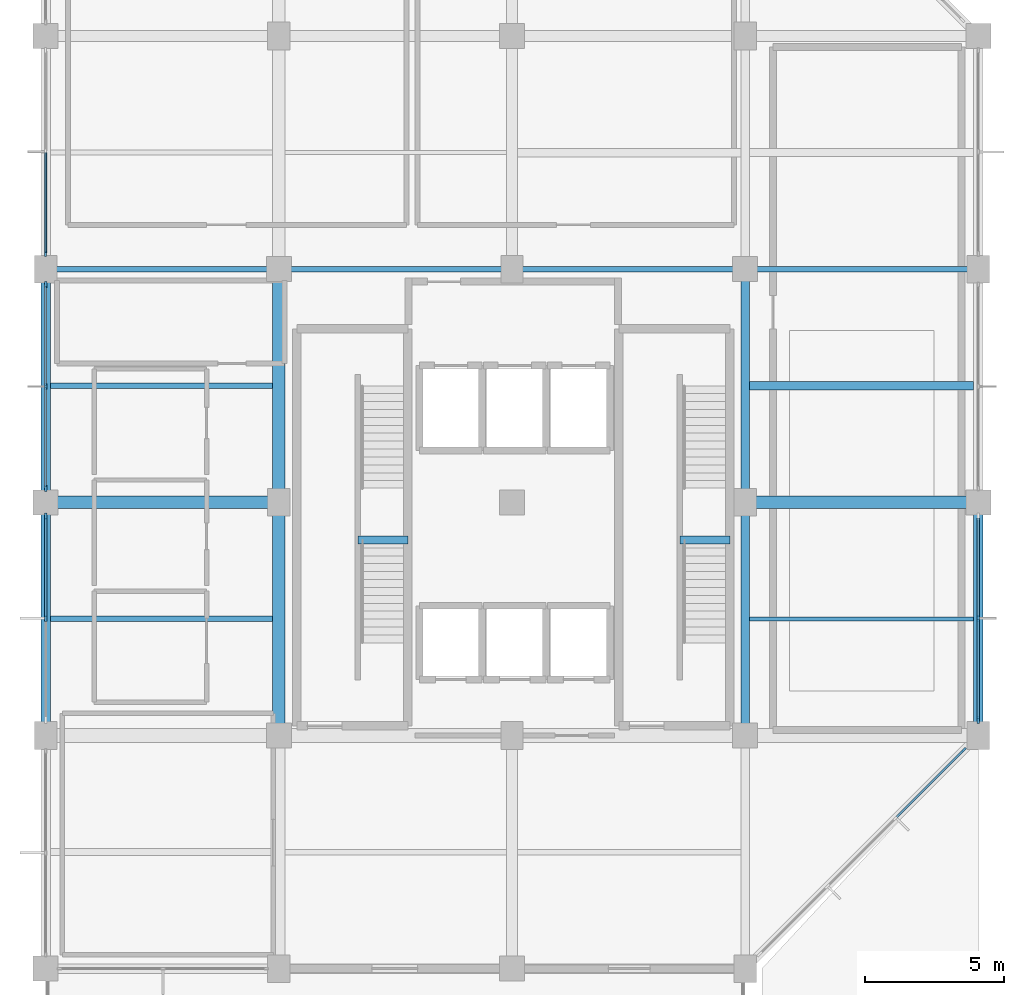
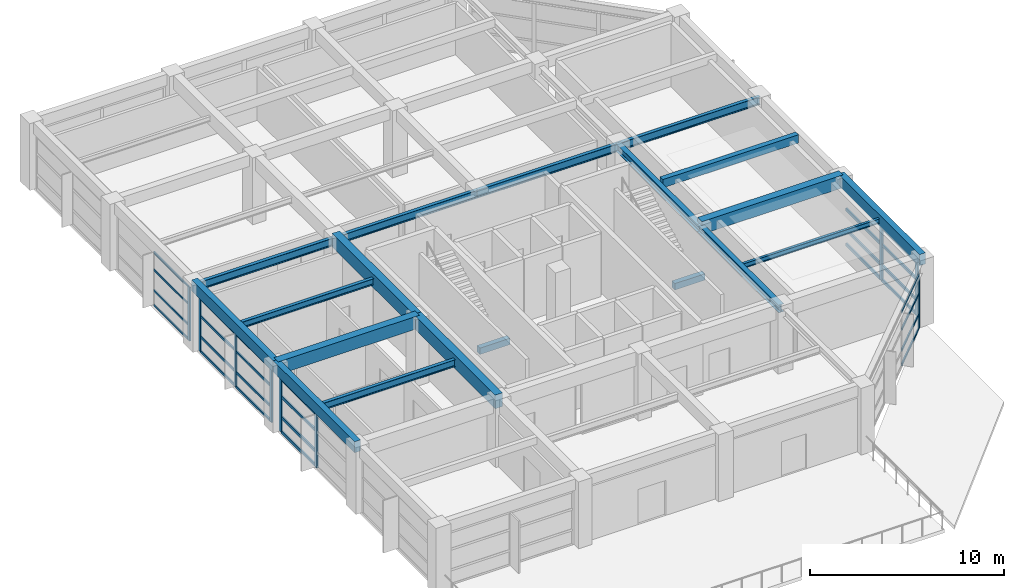
# One storey, part 3 of 11: 36 members, 19 beams, 5 elements without a shape of their own.
"""IFC4 building model written with IfcOpenShell, lengths in metres."""

from ifc_helpers import new_model, si_unit, direction, frame, origin, origin_2d, place, context, subcontext, project, spatial, rectangle, i_section, extrude, material, material_profile, profile_set, type_object, element, aggregate, save


model = new_model("IFC4")

# Units and contexts
model_context = context("Model", 3, precision=1e-05, world=origin(), true_north=direction((0.0, 1.0)))
body_context = subcontext(model_context, "Body", "Model", "MODEL_VIEW")
ifc_project = project(units=[si_unit("LENGTHUNIT", "METRE"), si_unit("AREAUNIT", "SQUARE_METRE"), si_unit("VOLUMEUNIT", "CUBIC_METRE"), si_unit("PLANEANGLEUNIT", "RADIAN"), si_unit("MASSUNIT", "GRAM", prefix="KILO")], contexts=[model_context])

# Site, building, storey
site_placement = place(None, origin())
site = spatial("IfcSite", under=ifc_project, at=site_placement, CompositionType="ELEMENT")
building_placement = place(site_placement, origin())
building = spatial("IfcBuilding", under=site, at=building_placement, Name="Xuanlan Plaza Opera House", CompositionType="ELEMENT")
storey_placement = place(building_placement, frame((0.0, 0.0, 57.300048828125)))
storey = spatial("IfcBuildingStorey", under=building, at=storey_placement, Name="L13", CompositionType="ELEMENT", Elevation=57.300048828125)

# Curtain wall, member
ifc_material_1 = material(Name="Anodised Aluminium 6063-T6 and Low-E Glass", Category="aluminium")
curtain_wall_type_1 = type_object("IfcCurtainWallType", Name="ENV-CW-CW-04", PredefinedType="USERDEFINED", material=ifc_material_1)
curtain_wall_1_placement = place(storey_placement, origin())
curtain_wall_1 = element("IfcCurtainWall", 1, at=curtain_wall_1_placement, inside=storey, type_object=curtain_wall_type_1, Name="Unitised Curtain Wall L13-013", ObjectType="UNITISED CURTAIN WALL", PredefinedType="USERDEFINED")
ifc_material_2 = material(Name="Anodised Aluminium 6063-T6", Category="aluminium")
ifc_material_profile_1 = material_profile(ifc_material_2, rectangle(XDim=0.074951171875, YDim=0.199951171875, at=origin_2d()), Name="ALU-M 75x200")
ifc_profile_set_1 = profile_set([ifc_material_profile_1], Name="Anodised Aluminium 6063-T6")
member_type_1 = type_object("IfcMemberType", Name="ENV-CWM-03", PredefinedType="MULLION", material=ifc_profile_set_1)
member_1_placement = place(storey_placement, frame((126.0, 67.757568359375, 0.0), z_axis=(0.0, 0.0, 1.0), x_axis=(1.0, 0.0, 0.0)))
member_1 = element("IfcMember", 2, at=member_1_placement, type_object=member_type_1, Name="CW-04 mullion 3", PredefinedType="MULLION", context=body_context, shape_type="SweptSolid", body=[
    extrude(rectangle(XDim=0.074951171875, YDim=0.199951171875, at=origin_2d()), origin(), (0.0, 0.0, 1.0), 3.3798828125),
])

curtain_wall_type_2 = type_object("IfcCurtainWallType", Name="ENV-CW-CW-03", PredefinedType="USERDEFINED", material=ifc_material_1)
curtain_wall_2_placement = place(storey_placement, origin())
curtain_wall_2 = element("IfcCurtainWall", 3, at=curtain_wall_2_placement, inside=storey, type_object=curtain_wall_type_2, Name="Unitised Curtain Wall L13-004", ObjectType="UNITISED CURTAIN WALL", PredefinedType="USERDEFINED")
ifc_material_profile_2 = material_profile(ifc_material_2, rectangle(XDim=0.080078125, YDim=0.219970703125, at=origin_2d()), Name="ALU-M 80x220")
ifc_profile_set_2 = profile_set([ifc_material_profile_2], Name="Anodised Aluminium 6063-T6")
member_type_2 = type_object("IfcMemberType", Name="ENV-CWM-04", PredefinedType="MULLION", material=ifc_profile_set_2)
member_2_placement = place(storey_placement, frame((159.07275390625, 49.872802734375, 0.0), z_axis=(0.0, 0.0, 1.0), x_axis=(-0.707106781187, 0.707106781187, 0.0)))
member_2 = element("IfcMember", 4, at=member_2_placement, type_object=member_type_2, Name="CW-03 mullion 4", PredefinedType="MULLION", context=body_context, shape_type="SweptSolid", body=[
    extrude(rectangle(XDim=0.080078125, YDim=0.219970703125, at=origin_2d()), origin(), (0.0, 0.0, 1.0), 3.3798828125),
])

# Curtain wall, members
curtain_wall_type_3 = type_object("IfcCurtainWallType", Name="ENV-CW-CW-01", PredefinedType="USERDEFINED", material=ifc_material_1)
curtain_wall_3_placement = place(storey_placement, origin())
curtain_wall_3 = element("IfcCurtainWall", 5, at=curtain_wall_3_placement, inside=storey, type_object=curtain_wall_type_3, Name="Unitised Curtain Wall L13-014", ObjectType="UNITISED CURTAIN WALL", PredefinedType="USERDEFINED")
member_3_placement = place(storey_placement, frame((126.0, 66.639892578125, 0.0), z_axis=(0.0, 0.0, 1.0), x_axis=(1.0, 0.0, 0.0)))
member_3 = element("IfcMember", 6, at=member_3_placement, type_object=member_type_2, Name="CW-01 mullion 1", PredefinedType="MULLION", context=body_context, shape_type="SweptSolid", body=[
    extrude(rectangle(XDim=0.080078125, YDim=0.219970703125, at=origin_2d()), origin(), (0.0, 0.0, 1.0), 3.3798828125),
])
member_4_placement = place(storey_placement, frame((126.0, 62.97509765625, 0.0), z_axis=(0.0, 0.0, 1.0), x_axis=(1.0, 0.0, 0.0)))
member_4 = element("IfcMember", 7, at=member_4_placement, type_object=member_type_2, Name="CW-01 mullion 2", PredefinedType="MULLION", context=body_context, shape_type="SweptSolid", body=[
    extrude(rectangle(XDim=0.080078125, YDim=0.219970703125, at=origin_2d()), origin(), (0.0, 0.0, 1.0), 3.3798828125),
])
member_5_placement = place(storey_placement, frame((126.0, 59.31005859375, 0.0), z_axis=(0.0, 0.0, 1.0), x_axis=(1.0, 0.0, 0.0)))
member_5 = element("IfcMember", 8, at=member_5_placement, type_object=member_type_2, Name="CW-01 mullion 3", PredefinedType="MULLION", context=body_context, shape_type="SweptSolid", body=[
    extrude(rectangle(XDim=0.080078125, YDim=0.219970703125, at=origin_2d()), origin(), (0.0, 0.0, 1.0), 3.3798828125),
])

curtain_wall_4_placement = place(storey_placement, origin())
curtain_wall_4 = element("IfcCurtainWall", 9, at=curtain_wall_4_placement, inside=storey, type_object=curtain_wall_type_1, Name="Unitised Curtain Wall L13-005", ObjectType="UNITISED CURTAIN WALL", PredefinedType="USERDEFINED")
ifc_material_profile_3 = material_profile(ifc_material_2, rectangle(XDim=0.090087890625, YDim=0.25, at=origin_2d()), Name="ALU-M 90x250")
ifc_profile_set_3 = profile_set([ifc_material_profile_3], Name="Anodised Aluminium 6063-T6")
member_type_3 = type_object("IfcMemberType", Name="ENV-CWM-05", PredefinedType="MULLION", material=ifc_profile_set_3)
member_6_placement = place(storey_placement, frame((159.60009765625, 50.965087890625, 0.0), z_axis=(0.0, 0.0, 1.0), x_axis=(-1.0, 0.0, 0.0)))
member_6 = element("IfcMember", 10, at=member_6_placement, type_object=member_type_3, Name="CW-04 mullion 1", PredefinedType="MULLION", context=body_context, shape_type="SweptSolid", body=[
    extrude(rectangle(XDim=0.090087890625, YDim=0.25, at=origin_2d()), origin(), (0.0, 0.0, 1.0), 3.3798828125),
])
member_7_placement = place(storey_placement, frame((159.60009765625, 54.625, 0.0), z_axis=(0.0, 0.0, 1.0), x_axis=(-1.0, 0.0, 0.0)))
member_7 = element("IfcMember", 11, at=member_7_placement, type_object=member_type_3, Name="CW-04 mullion 2", PredefinedType="MULLION", context=body_context, shape_type="SweptSolid", body=[
    extrude(rectangle(XDim=0.090087890625, YDim=0.25, at=origin_2d()), origin(), (0.0, 0.0, 1.0), 3.3798828125),
])

curtain_wall_type_4 = type_object("IfcCurtainWallType", Name="ENV-CW-CW-02", PredefinedType="USERDEFINED", material=ifc_material_1)
curtain_wall_5_placement = place(storey_placement, origin())
curtain_wall_5 = element("IfcCurtainWall", 12, at=curtain_wall_5_placement, inside=storey, type_object=curtain_wall_type_4, Name="Unitised Curtain Wall L13-015", ObjectType="UNITISED CURTAIN WALL", PredefinedType="USERDEFINED")
member_8_placement = place(storey_placement, frame((126.0, 58.284912109375, 0.0), z_axis=(0.0, 0.0, 1.0), x_axis=(1.0, 0.0, 0.0)))
member_8 = element("IfcMember", 13, at=member_8_placement, type_object=member_type_3, Name="CW-02 mullion 1", PredefinedType="MULLION", context=body_context, shape_type="SweptSolid", body=[
    extrude(rectangle(XDim=0.090087890625, YDim=0.25, at=origin_2d()), origin(), (0.0, 0.0, 1.0), 3.3798828125),
])
member_9_placement = place(storey_placement, frame((126.0, 54.625, 0.0), z_axis=(0.0, 0.0, 1.0), x_axis=(1.0, 0.0, 0.0)))
member_9 = element("IfcMember", 14, at=member_9_placement, type_object=member_type_3, Name="CW-02 mullion 2", PredefinedType="MULLION", context=body_context, shape_type="SweptSolid", body=[
    extrude(rectangle(XDim=0.090087890625, YDim=0.25, at=origin_2d()), origin(), (0.0, 0.0, 1.0), 3.3798828125),
])

# Member
ifc_material_profile_4 = material_profile(ifc_material_2, rectangle(XDim=0.06494140625, YDim=0.1201171875, at=origin_2d()), Name="ALU-T 65x120")
ifc_profile_set_4 = profile_set([ifc_material_profile_4], Name="Anodised Aluminium 6063-T6")
member_type_4 = type_object("IfcMemberType", Name="ENV-CWT-01", PredefinedType="USERDEFINED", material=ifc_profile_set_4)
member_10_placement = place(storey_placement, frame((126.0, 71.387451171875, 0.032470703125), z_axis=(0.0, -1.0, 0.0), x_axis=(1.0, 0.0, 0.0)))
member_10 = element("IfcMember", 15, at=member_10_placement, type_object=member_type_4, Name="CW-04 transom 2.1", ObjectType="TRANSOM", PredefinedType="USERDEFINED", context=body_context, shape_type="SweptSolid", body=[
    extrude(rectangle(XDim=0.06494140625, YDim=0.1201171875, at=origin_2d()), origin(), (0.0, 0.0, 1.0), 3.592529296875),
])

member_11_placement = place(storey_placement, frame((126.0, 71.387451171875, 0.949951171875), z_axis=(0.0, -1.0, 0.0), x_axis=(1.0, 0.0, 0.0)))
member_11 = element("IfcMember", 16, at=member_11_placement, type_object=member_type_4, Name="CW-04 transom 2.2", ObjectType="TRANSOM", PredefinedType="USERDEFINED", context=body_context, shape_type="SweptSolid", body=[
    extrude(rectangle(XDim=0.06494140625, YDim=0.1201171875, at=origin_2d()), origin(), (0.0, 0.0, 1.0), 3.592529296875),
])

member_12_placement = place(storey_placement, frame((126.0, 71.387451171875, 2.25), z_axis=(0.0, -1.0, 0.0), x_axis=(1.0, 0.0, 0.0)))
member_12 = element("IfcMember", 17, at=member_12_placement, type_object=member_type_4, Name="CW-04 transom 2.3", ObjectType="TRANSOM", PredefinedType="USERDEFINED", context=body_context, shape_type="SweptSolid", body=[
    extrude(rectangle(XDim=0.06494140625, YDim=0.1201171875, at=origin_2d()), origin(), (0.0, 0.0, 1.0), 3.592529296875),
])

member_13_placement = place(storey_placement, frame((126.0, 71.387451171875, 3.347412109375), z_axis=(0.0, -1.0, 0.0), x_axis=(1.0, 0.0, 0.0)))
member_13 = element("IfcMember", 18, at=member_13_placement, type_object=member_type_4, Name="CW-04 transom 2.4", ObjectType="TRANSOM", PredefinedType="USERDEFINED", context=body_context, shape_type="SweptSolid", body=[
    extrude(rectangle(XDim=0.06494140625, YDim=0.1201171875, at=origin_2d()), origin(), (0.0, 0.0, 1.0), 3.592529296875),
])

aggregate(curtain_wall_1, [member_1, member_10, member_11, member_12, member_13])

ifc_material_profile_5 = material_profile(ifc_material_2, rectangle(XDim=0.074951171875, YDim=0.14990234375, at=origin_2d()), Name="ALU-T 75x150")
ifc_profile_set_5 = profile_set([ifc_material_profile_5], Name="Anodised Aluminium 6063-T6")
member_type_5 = type_object("IfcMemberType", Name="ENV-CWT-03", PredefinedType="USERDEFINED", material=ifc_profile_set_5)
member_14_placement = place(storey_placement, frame((156.661865234375, 47.4619140625, 0.037353515625), z_axis=(0.707106781187, 0.707106781187, 0.0), x_axis=(-0.707106781187, 0.707106781187, 0.0)))
member_14 = element("IfcMember", 19, at=member_14_placement, type_object=member_type_5, Name="CW-03 transom 3.1", ObjectType="TRANSOM", PredefinedType="USERDEFINED", context=body_context, shape_type="SweptSolid", body=[
    extrude(rectangle(XDim=0.074951171875, YDim=0.14990234375, at=origin_2d()), origin(), (0.0, 0.0, 1.0), 3.369384765625),
])

member_15_placement = place(storey_placement, frame((156.661865234375, 47.4619140625, 0.949951171875), z_axis=(0.707106781187, 0.707106781187, 0.0), x_axis=(-0.707106781187, 0.707106781187, 0.0)))
member_15 = element("IfcMember", 20, at=member_15_placement, type_object=member_type_5, Name="CW-03 transom 3.2", ObjectType="TRANSOM", PredefinedType="USERDEFINED", context=body_context, shape_type="SweptSolid", body=[
    extrude(rectangle(XDim=0.074951171875, YDim=0.14990234375, at=origin_2d()), origin(), (0.0, 0.0, 1.0), 3.369384765625),
])

member_16_placement = place(storey_placement, frame((156.661865234375, 47.4619140625, 2.25), z_axis=(0.707106781187, 0.707106781187, 0.0), x_axis=(-0.707106781187, 0.707106781187, 0.0)))
member_16 = element("IfcMember", 21, at=member_16_placement, type_object=member_type_5, Name="CW-03 transom 3.3", ObjectType="TRANSOM", PredefinedType="USERDEFINED", context=body_context, shape_type="SweptSolid", body=[
    extrude(rectangle(XDim=0.074951171875, YDim=0.14990234375, at=origin_2d()), origin(), (0.0, 0.0, 1.0), 3.369384765625),
])

member_17_placement = place(storey_placement, frame((156.661865234375, 47.4619140625, 3.342529296875), z_axis=(0.707106781187, 0.707106781187, 0.0), x_axis=(-0.707106781187, 0.707106781187, 0.0)))
member_17 = element("IfcMember", 22, at=member_17_placement, type_object=member_type_5, Name="CW-03 transom 3.4", ObjectType="TRANSOM", PredefinedType="USERDEFINED", context=body_context, shape_type="SweptSolid", body=[
    extrude(rectangle(XDim=0.074951171875, YDim=0.14990234375, at=origin_2d()), origin(), (0.0, 0.0, 1.0), 3.369384765625),
])

aggregate(curtain_wall_2, [member_2, member_14, member_15, member_16, member_17])

member_18_placement = place(storey_placement, frame((126.0, 66.60009765625, 0.037353515625), z_axis=(0.0, -1.0, 0.0), x_axis=(1.0, 0.0, 0.0)))
member_18 = element("IfcMember", 23, at=member_18_placement, type_object=member_type_5, Name="CW-01 transom 1.1", ObjectType="TRANSOM", PredefinedType="USERDEFINED", context=body_context, shape_type="SweptSolid", body=[
    extrude(rectangle(XDim=0.074951171875, YDim=0.14990234375, at=origin_2d()), origin(), (0.0, 0.0, 1.0), 3.585205078125),
])

member_19_placement = place(storey_placement, frame((126.0, 66.60009765625, 0.949951171875), z_axis=(0.0, -1.0, 0.0), x_axis=(1.0, 0.0, 0.0)))
member_19 = element("IfcMember", 24, at=member_19_placement, type_object=member_type_5, Name="CW-01 transom 1.2", ObjectType="TRANSOM", PredefinedType="USERDEFINED", context=body_context, shape_type="SweptSolid", body=[
    extrude(rectangle(XDim=0.074951171875, YDim=0.14990234375, at=origin_2d()), origin(), (0.0, 0.0, 1.0), 3.585205078125),
])

member_20_placement = place(storey_placement, frame((126.0, 66.60009765625, 2.25), z_axis=(0.0, -1.0, 0.0), x_axis=(1.0, 0.0, 0.0)))
member_20 = element("IfcMember", 25, at=member_20_placement, type_object=member_type_5, Name="CW-01 transom 1.3", ObjectType="TRANSOM", PredefinedType="USERDEFINED", context=body_context, shape_type="SweptSolid", body=[
    extrude(rectangle(XDim=0.074951171875, YDim=0.14990234375, at=origin_2d()), origin(), (0.0, 0.0, 1.0), 3.585205078125),
])

member_21_placement = place(storey_placement, frame((126.0, 66.60009765625, 3.342529296875), z_axis=(0.0, -1.0, 0.0), x_axis=(1.0, 0.0, 0.0)))
member_21 = element("IfcMember", 26, at=member_21_placement, type_object=member_type_5, Name="CW-01 transom 1.4", ObjectType="TRANSOM", PredefinedType="USERDEFINED", context=body_context, shape_type="SweptSolid", body=[
    extrude(rectangle(XDim=0.074951171875, YDim=0.14990234375, at=origin_2d()), origin(), (0.0, 0.0, 1.0), 3.585205078125),
])

member_22_placement = place(storey_placement, frame((126.0, 62.93505859375, 0.037353515625), z_axis=(0.0, -1.0, 0.0), x_axis=(1.0, 0.0, 0.0)))
member_22 = element("IfcMember", 27, at=member_22_placement, type_object=member_type_5, Name="CW-01 transom 2.1", ObjectType="TRANSOM", PredefinedType="USERDEFINED", context=body_context, shape_type="SweptSolid", body=[
    extrude(rectangle(XDim=0.074951171875, YDim=0.14990234375, at=origin_2d()), origin(), (0.0, 0.0, 1.0), 3.5849609375),
])

member_23_placement = place(storey_placement, frame((126.0, 62.93505859375, 0.949951171875), z_axis=(0.0, -1.0, 0.0), x_axis=(1.0, 0.0, 0.0)))
member_23 = element("IfcMember", 28, at=member_23_placement, type_object=member_type_5, Name="CW-01 transom 2.2", ObjectType="TRANSOM", PredefinedType="USERDEFINED", context=body_context, shape_type="SweptSolid", body=[
    extrude(rectangle(XDim=0.074951171875, YDim=0.14990234375, at=origin_2d()), origin(), (0.0, 0.0, 1.0), 3.5849609375),
])

member_24_placement = place(storey_placement, frame((126.0, 62.93505859375, 2.25), z_axis=(0.0, -1.0, 0.0), x_axis=(1.0, 0.0, 0.0)))
member_24 = element("IfcMember", 29, at=member_24_placement, type_object=member_type_5, Name="CW-01 transom 2.3", ObjectType="TRANSOM", PredefinedType="USERDEFINED", context=body_context, shape_type="SweptSolid", body=[
    extrude(rectangle(XDim=0.074951171875, YDim=0.14990234375, at=origin_2d()), origin(), (0.0, 0.0, 1.0), 3.5849609375),
])

member_25_placement = place(storey_placement, frame((126.0, 62.93505859375, 3.342529296875), z_axis=(0.0, -1.0, 0.0), x_axis=(1.0, 0.0, 0.0)))
member_25 = element("IfcMember", 30, at=member_25_placement, type_object=member_type_5, Name="CW-01 transom 2.4", ObjectType="TRANSOM", PredefinedType="USERDEFINED", context=body_context, shape_type="SweptSolid", body=[
    extrude(rectangle(XDim=0.074951171875, YDim=0.14990234375, at=origin_2d()), origin(), (0.0, 0.0, 1.0), 3.5849609375),
])

aggregate(curtain_wall_3, [member_3, member_4, member_5, member_18, member_19, member_20, member_21, member_22, member_23, member_24, member_25])

ifc_material_profile_6 = material_profile(ifc_material_2, rectangle(XDim=0.090087890625, YDim=0.179931640625, at=origin_2d()), Name="ALU-T 90x180")
ifc_profile_set_6 = profile_set([ifc_material_profile_6], Name="Anodised Aluminium 6063-T6")
member_type_6 = type_object("IfcMemberType", Name="ENV-CWT-05", PredefinedType="USERDEFINED", material=ifc_profile_set_6)
member_26_placement = place(storey_placement, frame((159.60009765625, 51.010009765625, 0.044921875), z_axis=(0.0, 1.0, 0.0), x_axis=(-1.0, 0.0, 0.0)))
member_26 = element("IfcMember", 31, at=member_26_placement, type_object=member_type_6, Name="CW-04 transom 1.1", ObjectType="TRANSOM", PredefinedType="USERDEFINED", context=body_context, shape_type="SweptSolid", body=[
    extrude(rectangle(XDim=0.090087890625, YDim=0.179931640625, at=origin_2d()), origin(), (0.0, 0.0, 1.0), 3.570068359375),
])

member_27_placement = place(storey_placement, frame((159.60009765625, 51.010009765625, 0.949951171875), z_axis=(0.0, 1.0, 0.0), x_axis=(-1.0, 0.0, 0.0)))
member_27 = element("IfcMember", 32, at=member_27_placement, type_object=member_type_6, Name="CW-04 transom 1.2", ObjectType="TRANSOM", PredefinedType="USERDEFINED", context=body_context, shape_type="SweptSolid", body=[
    extrude(rectangle(XDim=0.090087890625, YDim=0.179931640625, at=origin_2d()), origin(), (0.0, 0.0, 1.0), 3.570068359375),
])

member_28_placement = place(storey_placement, frame((159.60009765625, 51.010009765625, 2.25), z_axis=(0.0, 1.0, 0.0), x_axis=(-1.0, 0.0, 0.0)))
member_28 = element("IfcMember", 33, at=member_28_placement, type_object=member_type_6, Name="CW-04 transom 1.3", ObjectType="TRANSOM", PredefinedType="USERDEFINED", context=body_context, shape_type="SweptSolid", body=[
    extrude(rectangle(XDim=0.090087890625, YDim=0.179931640625, at=origin_2d()), origin(), (0.0, 0.0, 1.0), 3.570068359375),
])

member_29_placement = place(storey_placement, frame((159.60009765625, 51.010009765625, 3.3349609375), z_axis=(0.0, 1.0, 0.0), x_axis=(-1.0, 0.0, 0.0)))
member_29 = element("IfcMember", 34, at=member_29_placement, type_object=member_type_6, Name="CW-04 transom 1.4", ObjectType="TRANSOM", PredefinedType="USERDEFINED", context=body_context, shape_type="SweptSolid", body=[
    extrude(rectangle(XDim=0.090087890625, YDim=0.179931640625, at=origin_2d()), origin(), (0.0, 0.0, 1.0), 3.570068359375),
])

member_30_placement = place(storey_placement, frame((159.60009765625, 54.669921875, 0.044921875), z_axis=(0.0, 1.0, 0.0), x_axis=(-1.0, 0.0, 0.0)))
member_30 = element("IfcMember", 35, at=member_30_placement, type_object=member_type_6, Name="CW-04 transom 2.1", ObjectType="TRANSOM", PredefinedType="USERDEFINED", context=body_context, shape_type="SweptSolid", body=[
    extrude(rectangle(XDim=0.090087890625, YDim=0.179931640625, at=origin_2d()), origin(), (0.0, 0.0, 1.0), 3.570068359375),
])

member_31_placement = place(storey_placement, frame((159.60009765625, 54.669921875, 0.949951171875), z_axis=(0.0, 1.0, 0.0), x_axis=(-1.0, 0.0, 0.0)))
member_31 = element("IfcMember", 36, at=member_31_placement, type_object=member_type_6, Name="CW-04 transom 2.2", ObjectType="TRANSOM", PredefinedType="USERDEFINED", context=body_context, shape_type="SweptSolid", body=[
    extrude(rectangle(XDim=0.090087890625, YDim=0.179931640625, at=origin_2d()), origin(), (0.0, 0.0, 1.0), 3.570068359375),
])

member_32_placement = place(storey_placement, frame((159.60009765625, 54.669921875, 2.25), z_axis=(0.0, 1.0, 0.0), x_axis=(-1.0, 0.0, 0.0)))
member_32 = element("IfcMember", 37, at=member_32_placement, type_object=member_type_6, Name="CW-04 transom 2.3", ObjectType="TRANSOM", PredefinedType="USERDEFINED", context=body_context, shape_type="SweptSolid", body=[
    extrude(rectangle(XDim=0.090087890625, YDim=0.179931640625, at=origin_2d()), origin(), (0.0, 0.0, 1.0), 3.570068359375),
])

aggregate(curtain_wall_4, [member_6, member_7, member_26, member_27, member_28, member_29, member_30, member_31, member_32])

member_33_placement = place(storey_placement, frame((126.0, 58.239990234375, 0.044921875), z_axis=(0.0, -1.0, 0.0), x_axis=(1.0, 0.0, 0.0)))
member_33 = element("IfcMember", 38, at=member_33_placement, type_object=member_type_6, Name="CW-02 transom 1.1", ObjectType="TRANSOM", PredefinedType="USERDEFINED", context=body_context, shape_type="SweptSolid", body=[
    extrude(rectangle(XDim=0.090087890625, YDim=0.179931640625, at=origin_2d()), origin(), (0.0, 0.0, 1.0), 3.570068359375),
])

member_34_placement = place(storey_placement, frame((126.0, 58.239990234375, 0.949951171875), z_axis=(0.0, -1.0, 0.0), x_axis=(1.0, 0.0, 0.0)))
member_34 = element("IfcMember", 39, at=member_34_placement, type_object=member_type_6, Name="CW-02 transom 1.2", ObjectType="TRANSOM", PredefinedType="USERDEFINED", context=body_context, shape_type="SweptSolid", body=[
    extrude(rectangle(XDim=0.090087890625, YDim=0.179931640625, at=origin_2d()), origin(), (0.0, 0.0, 1.0), 3.570068359375),
])

member_35_placement = place(storey_placement, frame((126.0, 58.239990234375, 2.25), z_axis=(0.0, -1.0, 0.0), x_axis=(1.0, 0.0, 0.0)))
member_35 = element("IfcMember", 40, at=member_35_placement, type_object=member_type_6, Name="CW-02 transom 1.3", ObjectType="TRANSOM", PredefinedType="USERDEFINED", context=body_context, shape_type="SweptSolid", body=[
    extrude(rectangle(XDim=0.090087890625, YDim=0.179931640625, at=origin_2d()), origin(), (0.0, 0.0, 1.0), 3.570068359375),
])

member_36_placement = place(storey_placement, frame((126.0, 58.239990234375, 3.3349609375), z_axis=(0.0, -1.0, 0.0), x_axis=(1.0, 0.0, 0.0)))
member_36 = element("IfcMember", 41, at=member_36_placement, type_object=member_type_6, Name="CW-02 transom 1.4", ObjectType="TRANSOM", PredefinedType="USERDEFINED", context=body_context, shape_type="SweptSolid", body=[
    extrude(rectangle(XDim=0.090087890625, YDim=0.179931640625, at=origin_2d()), origin(), (0.0, 0.0, 1.0), 3.570068359375),
])

aggregate(curtain_wall_5, [member_8, member_9, member_33, member_34, member_35, member_36])

# Beams
ifc_material_3 = material(Name="Concrete C40", Category="concrete")
ifc_material_profile_7 = material_profile(ifc_material_3, rectangle(XDim=0.449951171875, YDim=0.85009765625, at=origin_2d()), Name="RC-BM 450x850")
ifc_profile_set_7 = profile_set([ifc_material_profile_7], Name="Concrete C40")
beam_type_1 = type_object("IfcBeamType", Name="STR-BM-B-04", PredefinedType="BEAM", material=ifc_profile_set_7)
beam_1_placement = place(storey_placement, frame((134.39990234375, 50.39990234375, 3.77490234375), z_axis=(0.0, 1.0, 0.0), x_axis=(-1.0, 0.0, 0.0)))
element("IfcBeam", 42, at=beam_1_placement, inside=storey, type_object=beam_type_1, Name="Grid Beam Y L13 17/G-H", PredefinedType="BEAM", context=body_context, shape_type="SweptSolid", body=[
    extrude(rectangle(XDim=0.449951171875, YDim=0.85009765625, at=origin_2d()), origin(), (0.0, 0.0, 1.0), 8.400146484375),
])
beam_2_placement = place(storey_placement, frame((134.39990234375, 58.800048828125, 3.77490234375), z_axis=(0.0, 1.0, 0.0), x_axis=(-1.0, 0.0, 0.0)))
element("IfcBeam", 43, at=beam_2_placement, inside=storey, type_object=beam_type_1, Name="Grid Beam Y L13 17/H-I", PredefinedType="BEAM", context=body_context, shape_type="SweptSolid", body=[
    extrude(rectangle(XDim=0.449951171875, YDim=0.85009765625, at=origin_2d()), origin(), (0.0, 0.0, 1.0), 8.39990234375),
])
ifc_material_profile_8 = material_profile(ifc_material_3, rectangle(XDim=0.449951171875, YDim=0.800048828125, at=origin_2d()), Name="RC-BM 450x800")
ifc_profile_set_8 = profile_set([ifc_material_profile_8], Name="Concrete C40")
beam_type_2 = type_object("IfcBeamType", Name="STR-BM-B-05", PredefinedType="BEAM", material=ifc_profile_set_8)
beam_3_placement = place(storey_placement, frame((126.0, 58.800048828125, 3.800048828125), z_axis=(1.0, 0.0, 0.0), x_axis=(0.0, 1.0, 0.0)))
element("IfcBeam", 44, at=beam_3_placement, inside=storey, type_object=beam_type_2, Name="Grid Beam X L13 16-17/H", PredefinedType="BEAM", context=body_context, shape_type="SweptSolid", body=[
    extrude(rectangle(XDim=0.449951171875, YDim=0.800048828125, at=origin_2d()), origin(), (0.0, 0.0, 1.0), 8.39990234375),
])
beam_4_placement = place(storey_placement, frame((151.199951171875, 58.800048828125, 3.800048828125), z_axis=(1.0, 0.0, 0.0), x_axis=(0.0, 1.0, 0.0)))
element("IfcBeam", 45, at=beam_4_placement, inside=storey, type_object=beam_type_2, Name="Grid Beam X L13 19-20/H", PredefinedType="BEAM", context=body_context, shape_type="SweptSolid", body=[
    extrude(rectangle(XDim=0.449951171875, YDim=0.800048828125, at=origin_2d()), origin(), (0.0, 0.0, 1.0), 8.400146484375),
])
ifc_material_4 = material(Name="Steel Q355B", Category="steel")
ifc_material_profile_9 = material_profile(ifc_material_4, i_section(OverallWidth=0.199951171875, OverallDepth=0.449951171875, WebThickness=0.009033203125, FlangeThickness=0.013916015625, FilletRadius=0.01806640625, at=origin_2d()), Name="HN 450x200x9x14")
ifc_profile_set_9 = profile_set([ifc_material_profile_9], Name="Steel Q355B")
beam_type_3 = type_object("IfcBeamType", Name="STR-BM-J-01", PredefinedType="JOIST", material=ifc_profile_set_9)
beam_5_placement = place(storey_placement, frame((126.175048828125, 54.60009765625, 3.72998046875), z_axis=(1.0, 0.0, 0.0), x_axis=(0.0, 1.0, 0.0)))
element("IfcBeam", 46, at=beam_5_placement, inside=storey, type_object=beam_type_3, Name="Heavy Floor Joist L13 16-17/Gm", PredefinedType="JOIST", context=body_context, shape_type="SweptSolid", body=[
    extrude(i_section(OverallWidth=0.199951171875, OverallDepth=0.449951171875, WebThickness=0.009033203125, FlangeThickness=0.013916015625, FilletRadius=0.01806640625, at=origin_2d()), origin(), (0.0, 0.0, 1.0), 8.0),
])
ifc_material_profile_10 = material_profile(ifc_material_4, i_section(OverallWidth=0.199951171875, OverallDepth=0.39990234375, WebThickness=0.008056640625, FlangeThickness=0.012939453125, FilletRadius=0.01611328125, at=origin_2d()), Name="HN 400x200x8x13")
ifc_profile_set_10 = profile_set([ifc_material_profile_10], Name="Steel Q355B")
beam_type_4 = type_object("IfcBeamType", Name="STR-BM-J-02", PredefinedType="JOIST", material=ifc_profile_set_10)
beam_6_placement = place(storey_placement, frame((126.175048828125, 63.0, 3.7548828125), z_axis=(1.0, 0.0, 0.0), x_axis=(0.0, 1.0, 0.0)))
element("IfcBeam", 47, at=beam_6_placement, inside=storey, type_object=beam_type_4, Name="Heavy Floor Joist L13 16-17/Hm", PredefinedType="JOIST", context=body_context, shape_type="SweptSolid", body=[
    extrude(i_section(OverallWidth=0.199951171875, OverallDepth=0.39990234375, WebThickness=0.008056640625, FlangeThickness=0.012939453125, FilletRadius=0.01611328125, at=origin_2d()), origin(), (0.0, 0.0, 1.0), 8.0),
])
ifc_material_profile_11 = material_profile(ifc_material_4, i_section(OverallWidth=0.14990234375, OverallDepth=0.300048828125, WebThickness=0.006591796875, FlangeThickness=0.009033203125, FilletRadius=0.012939453125, at=origin_2d()), Name="HN 300x150x6.5x9")
ifc_profile_set_11 = profile_set([ifc_material_profile_11], Name="Steel Q355B")
beam_type_5 = type_object("IfcBeamType", Name="STR-BM-J-04", PredefinedType="JOIST", material=ifc_profile_set_11)
beam_7_placement = place(storey_placement, frame((151.35009765625, 54.60009765625, 3.804931640625), z_axis=(1.0, 0.0, 0.0), x_axis=(0.0, 1.0, 0.0)))
element("IfcBeam", 48, at=beam_7_placement, inside=storey, type_object=beam_type_5, Name="Heavy Floor Joist L13 19-20/Gm", PredefinedType="JOIST", context=body_context, shape_type="SweptSolid", body=[
    extrude(i_section(OverallWidth=0.14990234375, OverallDepth=0.300048828125, WebThickness=0.006591796875, FlangeThickness=0.009033203125, FilletRadius=0.012939453125, at=origin_2d()), origin(), (0.0, 0.0, 1.0), 8.074951171875),
])
ifc_material_profile_12 = material_profile(ifc_material_3, rectangle(XDim=0.300048828125, YDim=0.52001953125, at=origin_2d()), Name="RC-JST 300x520")
ifc_profile_set_12 = profile_set([ifc_material_profile_12], Name="Concrete C40")
beam_type_6 = type_object("IfcBeamType", Name="STR-BM-J-05", PredefinedType="JOIST", material=ifc_profile_set_12)
beam_8_placement = place(storey_placement, frame((151.35009765625, 63.0, 3.93994140625), z_axis=(1.0, 0.0, 0.0), x_axis=(0.0, 1.0, 0.0)))
element("IfcBeam", 49, at=beam_8_placement, inside=storey, type_object=beam_type_6, Name="Heavy Floor Joist L13 19-20/Hm", PredefinedType="JOIST", context=body_context, shape_type="SweptSolid", body=[
    extrude(rectangle(XDim=0.300048828125, YDim=0.52001953125, at=origin_2d()), origin(), (0.0, 0.0, 1.0), 8.074951171875),
])
ifc_material_profile_13 = material_profile(ifc_material_3, rectangle(XDim=0.300048828125, YDim=0.39990234375, at=origin_2d()), Name="RC-LNT 300x400")
ifc_profile_set_13 = profile_set([ifc_material_profile_13], Name="Concrete C40")
beam_type_7 = type_object("IfcBeamType", Name="STR-BM-LN-01", PredefinedType="LINTEL", material=ifc_profile_set_13)
beam_9_placement = place(storey_placement, frame((137.25, 57.445068359375, 1.699951171875), z_axis=(1.0, 0.0, 0.0), x_axis=(0.0, 1.0, 0.0)))
element("IfcBeam", 50, at=beam_9_placement, inside=storey, type_object=beam_type_7, Name="Stair Mid-Landing Trimmer Beam ST-T1 L13", PredefinedType="LINTEL", context=body_context, shape_type="SweptSolid", body=[
    extrude(rectangle(XDim=0.300048828125, YDim=0.39990234375, at=origin_2d()), origin(), (0.0, 0.0, 1.0), 1.800048828125),
])
beam_10_placement = place(storey_placement, frame((148.85009765625, 57.445068359375, 1.699951171875), z_axis=(1.0, 0.0, 0.0), x_axis=(0.0, 1.0, 0.0)))
element("IfcBeam", 51, at=beam_10_placement, inside=storey, type_object=beam_type_7, Name="Stair Mid-Landing Trimmer Beam ST-T2 L13", PredefinedType="LINTEL", context=body_context, shape_type="SweptSolid", body=[
    extrude(rectangle(XDim=0.300048828125, YDim=0.39990234375, at=origin_2d()), origin(), (0.0, 0.0, 1.0), 1.7998046875),
])
ifc_material_profile_14 = material_profile(ifc_material_4, i_section(OverallWidth=0.199951171875, OverallDepth=0.5, WebThickness=0.010009765625, FlangeThickness=0.01611328125, FilletRadius=0.02001953125, at=origin_2d()), Name="HN 500x200x10x16")
ifc_profile_set_14 = profile_set([ifc_material_profile_14], Name="Steel Q355B")
beam_type_8 = type_object("IfcBeamType", Name="STR-BM-SB-05", PredefinedType="BEAM", material=ifc_profile_set_14)
beam_11_placement = place(storey_placement, frame((126.0, 67.199951171875, 3.704833984375), z_axis=(1.0, 0.0, 0.0), x_axis=(0.0, 1.0, 0.0)))
element("IfcBeam", 52, at=beam_11_placement, inside=storey, type_object=beam_type_8, Name="Grid Beam X L13 16-17/I", PredefinedType="BEAM", context=body_context, shape_type="SweptSolid", body=[
    extrude(i_section(OverallWidth=0.199951171875, OverallDepth=0.5, WebThickness=0.010009765625, FlangeThickness=0.01611328125, FilletRadius=0.02001953125, at=origin_2d()), origin(), (0.0, 0.0, 1.0), 8.39990234375),
])
beam_12_placement = place(storey_placement, frame((134.39990234375, 67.199951171875, 3.704833984375), z_axis=(1.0, 0.0, 0.0), x_axis=(0.0, 1.0, 0.0)))
element("IfcBeam", 53, at=beam_12_placement, inside=storey, type_object=beam_type_8, Name="Grid Beam X L13 17-18/I", PredefinedType="BEAM", context=body_context, shape_type="SweptSolid", body=[
    extrude(i_section(OverallWidth=0.199951171875, OverallDepth=0.5, WebThickness=0.010009765625, FlangeThickness=0.01611328125, FilletRadius=0.02001953125, at=origin_2d()), origin(), (0.0, 0.0, 1.0), 8.400146484375),
])
beam_13_placement = place(storey_placement, frame((142.800048828125, 67.199951171875, 3.704833984375), z_axis=(1.0, 0.0, 0.0), x_axis=(0.0, 1.0, 0.0)))
element("IfcBeam", 54, at=beam_13_placement, inside=storey, type_object=beam_type_8, Name="Grid Beam X L13 18-19/I", PredefinedType="BEAM", context=body_context, shape_type="SweptSolid", body=[
    extrude(i_section(OverallWidth=0.199951171875, OverallDepth=0.5, WebThickness=0.010009765625, FlangeThickness=0.01611328125, FilletRadius=0.02001953125, at=origin_2d()), origin(), (0.0, 0.0, 1.0), 8.39990234375),
])
beam_14_placement = place(storey_placement, frame((151.199951171875, 67.199951171875, 3.704833984375), z_axis=(1.0, 0.0, 0.0), x_axis=(0.0, 1.0, 0.0)))
element("IfcBeam", 55, at=beam_14_placement, inside=storey, type_object=beam_type_8, Name="Grid Beam X L13 19-20/I", PredefinedType="BEAM", context=body_context, shape_type="SweptSolid", body=[
    extrude(i_section(OverallWidth=0.199951171875, OverallDepth=0.5, WebThickness=0.010009765625, FlangeThickness=0.01611328125, FilletRadius=0.02001953125, at=origin_2d()), origin(), (0.0, 0.0, 1.0), 8.400146484375),
])
ifc_material_profile_15 = material_profile(ifc_material_4, i_section(OverallWidth=0.300048828125, OverallDepth=0.488037109375, WebThickness=0.010986328125, FlangeThickness=0.01806640625, FilletRadius=0.02197265625, at=origin_2d()), Name="HM 488x300x11x18")
ifc_profile_set_15 = profile_set([ifc_material_profile_15], Name="Steel Q355B")
beam_type_9 = type_object("IfcBeamType", Name="STR-BM-SB-07", PredefinedType="BEAM", material=ifc_profile_set_15)
beam_15_placement = place(storey_placement, frame((151.199951171875, 50.39990234375, 3.7109375), z_axis=(0.0, 1.0, 0.0), x_axis=(-1.0, 0.0, 0.0)))
element("IfcBeam", 56, at=beam_15_placement, inside=storey, type_object=beam_type_9, Name="Grid Beam Y L13 19/G-H", PredefinedType="BEAM", context=body_context, shape_type="SweptSolid", body=[
    extrude(i_section(OverallWidth=0.300048828125, OverallDepth=0.488037109375, WebThickness=0.010986328125, FlangeThickness=0.01806640625, FilletRadius=0.02197265625, at=origin_2d()), origin(), (0.0, 0.0, 1.0), 8.400146484375),
])
beam_16_placement = place(storey_placement, frame((151.199951171875, 58.800048828125, 3.7109375), z_axis=(0.0, 1.0, 0.0), x_axis=(-1.0, 0.0, 0.0)))
element("IfcBeam", 57, at=beam_16_placement, inside=storey, type_object=beam_type_9, Name="Grid Beam Y L13 19/H-I", PredefinedType="BEAM", context=body_context, shape_type="SweptSolid", body=[
    extrude(i_section(OverallWidth=0.300048828125, OverallDepth=0.488037109375, WebThickness=0.010986328125, FlangeThickness=0.01806640625, FilletRadius=0.02197265625, at=origin_2d()), origin(), (0.0, 0.0, 1.0), 8.39990234375),
])
ifc_material_profile_16 = material_profile(ifc_material_3, rectangle(XDim=0.35009765625, YDim=0.699951171875, at=origin_2d()), Name="RC-SPD 350x700")
ifc_profile_set_16 = profile_set([ifc_material_profile_16], Name="Concrete C40")
beam_type_10 = type_object("IfcBeamType", Name="STR-BM-SP-02", PredefinedType="SPANDREL", material=ifc_profile_set_16)
beam_17_placement = place(storey_placement, frame((126.0, 50.39990234375, 3.849853515625), z_axis=(0.0, 1.0, 0.0), x_axis=(-1.0, 0.0, 0.0)))
element("IfcBeam", 58, at=beam_17_placement, inside=storey, type_object=beam_type_10, Name="Grid Beam Y L13 16/G-H", PredefinedType="SPANDREL", context=body_context, shape_type="SweptSolid", body=[
    extrude(rectangle(XDim=0.35009765625, YDim=0.699951171875, at=origin_2d()), origin(), (0.0, 0.0, 1.0), 8.400146484375),
])
beam_18_placement = place(storey_placement, frame((126.0, 58.800048828125, 3.849853515625), z_axis=(0.0, 1.0, 0.0), x_axis=(-1.0, 0.0, 0.0)))
element("IfcBeam", 59, at=beam_18_placement, inside=storey, type_object=beam_type_10, Name="Grid Beam Y L13 16/H-I", PredefinedType="SPANDREL", context=body_context, shape_type="SweptSolid", body=[
    extrude(rectangle(XDim=0.35009765625, YDim=0.699951171875, at=origin_2d()), origin(), (0.0, 0.0, 1.0), 8.39990234375),
])
beam_19_placement = place(storey_placement, frame((159.60009765625, 50.39990234375, 3.849853515625), z_axis=(0.0, 1.0, 0.0), x_axis=(-1.0, 0.0, 0.0)))
element("IfcBeam", 60, at=beam_19_placement, inside=storey, type_object=beam_type_10, Name="Grid Beam Y L13 20/G-H", PredefinedType="SPANDREL", context=body_context, shape_type="SweptSolid", body=[
    extrude(rectangle(XDim=0.35009765625, YDim=0.699951171875, at=origin_2d()), origin(), (0.0, 0.0, 1.0), 8.400146484375),
])

save(model, "model.ifc")
